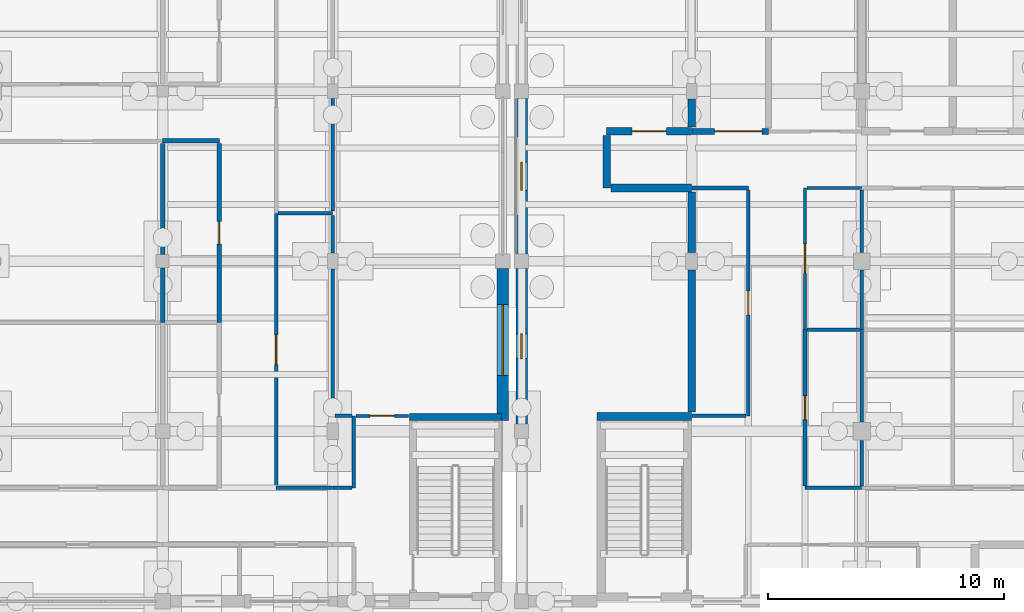
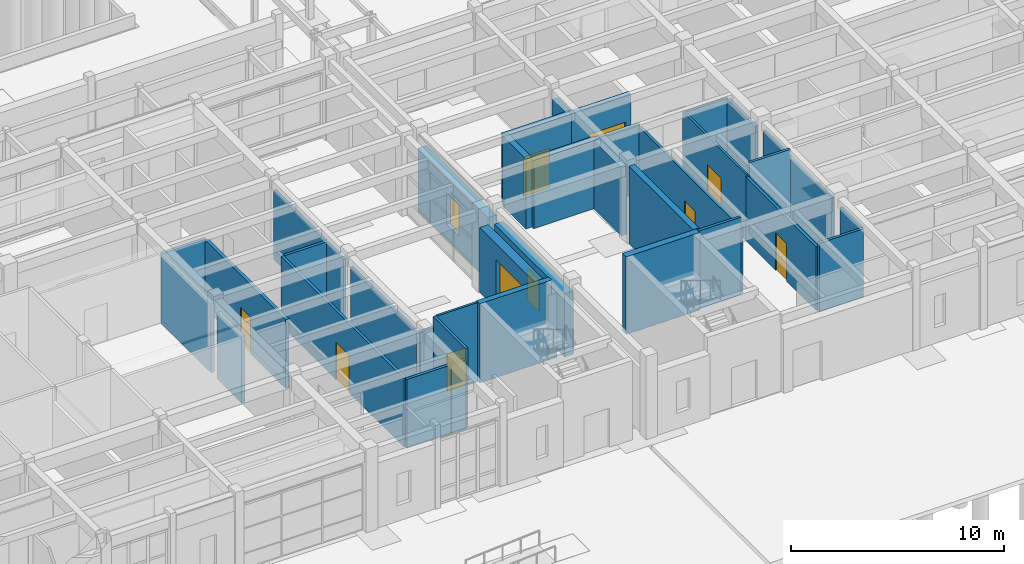
# One storey, part 101 of 143: 38 walls, 8 doors, 3 windows, 11 openings.
"""IFC4 building model written with IfcOpenShell, lengths in metres."""

from ifc_helpers import new_model, si_unit, direction, frame, frame_2d, origin, place, context, subcontext, project, spatial, rectangle, extrude, material, layer, layer_set, type_object, element, fill, save


model = new_model("IFC4")

# Units and contexts
model_context = context("Model", 3, precision=1e-05, world=origin(), true_north=direction((0.0, 1.0)))
body_context = subcontext(model_context, "Body", "Model", "MODEL_VIEW")
ifc_project = project(units=[si_unit("LENGTHUNIT", "METRE"), si_unit("AREAUNIT", "SQUARE_METRE"), si_unit("VOLUMEUNIT", "CUBIC_METRE"), si_unit("PLANEANGLEUNIT", "RADIAN"), si_unit("MASSUNIT", "GRAM", prefix="KILO")], contexts=[model_context])

# Site, building, storey
site_placement = place(None, origin())
site = spatial("IfcSite", under=ifc_project, at=site_placement, CompositionType="ELEMENT")
building_placement = place(site_placement, origin())
building = spatial("IfcBuilding", under=site, at=building_placement, Name="Steenspoor Specialist Clinic", CompositionType="ELEMENT")
storey_placement = place(building_placement, origin())
storey = spatial("IfcBuildingStorey", under=building, at=storey_placement, Name="L00", CompositionType="ELEMENT", Elevation=0.0)

# Wall, opening, window
ifc_material_1 = material(Name="Volcanic basalt ashlar masonry", Category="masonry")
ifc_layer_1 = layer(ifc_material_1, 0.47998046875)
ifc_layer_set_1 = layer_set([ifc_layer_1], Name="Volcanic basalt ashlar masonry")
wall_type_1 = type_object("IfcWallType", Name="W-BASALT-480", PredefinedType="SOLIDWALL", material=ifc_layer_set_1)
wall_1_placement = place(storey_placement, frame((117.199951171875, 27.14990234375, 0.0), z_axis=(0.0, 0.0, 1.0), x_axis=(0.0, -1.0, 0.0)))
wall_1 = element("IfcWall", 1, at=wall_1_placement, inside=storey, type_object=wall_type_1, Name="Exterior Brick Wall EW-V1-L00-0017", PredefinedType="SOLIDWALL", context=body_context, shape_type="SweptSolid", body=[
    extrude(rectangle(XDim=6.449951171875, YDim=0.47998046875, at=frame_2d((3.22509765625, 0.0))), origin(), (0.0, 0.0, 1.0), 3.72998046875),
])
opening_1_placement = place(wall_1_placement, frame((1.5400390625, 0.0, 0.60009765625)))
opening_1 = element("IfcOpeningElement", 2, at=opening_1_placement, cuts=wall_1, Name="Opening WN-19", PredefinedType="OPENING", context=body_context, shape_type="SweptSolid", body=[
    extrude(rectangle(XDim=3.0, YDim=2.199951171875, at=frame_2d((1.5, 1.10009765625))), frame((0.0, 0.25, 0.0), z_axis=(0.0, -1.0, 0.0), x_axis=(1.0, 0.0, 0.0)), (0.0, 0.0, 1.0), 0.5),
])
ifc_material_2 = material(Name="Thermally broken aluminium and low-emissivity glass", Category="aluminium")
window_type_1 = type_object("IfcWindowType", Name="WN-EXT-300X220", PartitioningType="SINGLE_PANEL", PredefinedType="WINDOW", material=ifc_material_2)
window_1_placement = place(opening_1_placement, origin())
window_1 = element("IfcWindow", 3, at=window_1_placement, inside=storey, type_object=window_type_1, Name="Window 0019", OverallHeight=2.199951171875, OverallWidth=3.0, PartitioningType="SINGLE_PANEL", PredefinedType="WINDOW", context=body_context, shape_type="SweptSolid", body=[
    extrude(rectangle(XDim=3.0, YDim=2.199951171875, at=frame_2d((1.5, 1.10009765625))), frame((0.0, 0.030029296875, 0.0), z_axis=(0.0, -1.0, 0.0), x_axis=(1.0, 0.0, 0.0)), (0.0, 0.0, 1.0), 0.06005859375),
])
fill(opening_1, window_1)

wall_2_placement = place(storey_placement, frame((118.0, 20.550048828125, 0.0), z_axis=(0.0, 0.0, 1.0), x_axis=(0.0, 1.0, 0.0)))
wall_2 = element("IfcWall", 4, at=wall_2_placement, inside=storey, type_object=wall_type_1, Name="Exterior Brick Wall EW-V2-L00-0044", PredefinedType="SOLIDWALL", context=body_context, shape_type="SweptSolid", body=[
    extrude(rectangle(XDim=6.599853515625, YDim=0.47998046875, at=frame_2d((3.2998046875, 0.0))), origin(), (0.0, 0.0, 1.0), 3.639892578125),
])
opening_2_placement = place(wall_2_placement, frame((2.77490234375, 0.0, 0.89990234375)))
opening_2 = element("IfcOpeningElement", 5, at=opening_2_placement, cuts=wall_2, Name="Opening WN-04", PredefinedType="OPENING", context=body_context, shape_type="SweptSolid", body=[
    extrude(rectangle(XDim=1.050048828125, YDim=1.800048828125, at=frame_2d((0.52490234375, 0.89990234375))), frame((0.0, 0.25, 0.0), z_axis=(0.0, -1.0, 0.0), x_axis=(1.0, 0.0, 0.0)), (0.0, 0.0, 1.0), 0.5),
])
window_type_2 = type_object("IfcWindowType", Name="WN-EXT-105X180", PartitioningType="SINGLE_PANEL", PredefinedType="WINDOW", material=ifc_material_2)
window_2_placement = place(opening_2_placement, origin())
window_2 = element("IfcWindow", 6, at=window_2_placement, inside=storey, type_object=window_type_2, Name="Window 0052", OverallHeight=1.800048828125, OverallWidth=1.050048828125, PartitioningType="SINGLE_PANEL", PredefinedType="WINDOW", context=body_context, shape_type="SweptSolid", body=[
    extrude(rectangle(XDim=1.050048828125, YDim=1.800048828125, at=frame_2d((0.52490234375, 0.89990234375))), frame((0.0, 0.030029296875, 0.0), z_axis=(0.0, -1.0, 0.0), x_axis=(1.0, 0.0, 0.0)), (0.0, 0.0, 1.0), 0.06005859375),
])
fill(opening_2, window_2)

wall_3_placement = place(storey_placement, frame((118.0, 27.75, 0.0), z_axis=(0.0, 0.0, 1.0), x_axis=(0.0, 1.0, 0.0)))
wall_3 = element("IfcWall", 7, at=wall_3_placement, inside=storey, type_object=wall_type_1, Name="Exterior Brick Wall EW-V2-L00-0045", PredefinedType="SOLIDWALL", context=body_context, shape_type="SweptSolid", body=[
    extrude(rectangle(XDim=6.60009765625, YDim=0.47998046875, at=frame_2d((3.300048828125, 0.0))), origin(), (0.0, 0.0, 1.0), 3.639892578125),
])
opening_3_placement = place(wall_3_placement, frame((2.699951171875, 0.0, 0.89990234375)))
opening_3 = element("IfcOpeningElement", 8, at=opening_3_placement, cuts=wall_3, Name="Opening WN-05", PredefinedType="OPENING", context=body_context, shape_type="SweptSolid", body=[
    extrude(rectangle(XDim=1.199951171875, YDim=1.800048828125, at=frame_2d((0.60009765625, 0.89990234375))), frame((0.0, 0.25, 0.0), z_axis=(0.0, -1.0, 0.0), x_axis=(1.0, 0.0, 0.0)), (0.0, 0.0, 1.0), 0.5),
])
window_type_3 = type_object("IfcWindowType", Name="WN-EXT-120X180", PartitioningType="SINGLE_PANEL", PredefinedType="WINDOW", material=ifc_material_2)
window_3_placement = place(opening_3_placement, origin())
window_3 = element("IfcWindow", 9, at=window_3_placement, inside=storey, type_object=window_type_3, Name="Window 0053", OverallHeight=1.800048828125, OverallWidth=1.199951171875, PartitioningType="SINGLE_PANEL", PredefinedType="WINDOW", context=body_context, shape_type="SweptSolid", body=[
    extrude(rectangle(XDim=1.199951171875, YDim=1.800048828125, at=frame_2d((0.60009765625, 0.89990234375))), frame((0.0, 0.030029296875, 0.0), z_axis=(0.0, -1.0, 0.0), x_axis=(1.0, 0.0, 0.0)), (0.0, 0.0, 1.0), 0.06005859375),
])
fill(opening_3, window_3)

# Wall
ifc_material_3 = material(Name="Gypsum acoustic clinical partition", Category="gypsum")
ifc_layer_2 = layer(ifc_material_3, 0.14990234375)
ifc_layer_set_2 = layer_set([ifc_layer_2], Name="Gypsum acoustic clinical partition")
wall_type_2 = type_object("IfcWallType", Name="W-CLIN-150", PredefinedType="PARTITIONING", material=ifc_layer_set_2)
wall_4_placement = place(storey_placement, frame((107.60009765625, 17.85009765625, 0.0), z_axis=(0.0, 0.0, 1.0), x_axis=(1.0, 0.0, 0.0)))
element("IfcWall", 10, at=wall_4_placement, inside=storey, type_object=wall_type_2, Name="Interior Partition IW-V1-L00-0174", PredefinedType="PARTITIONING", context=body_context, shape_type="SweptSolid", body=[
    extrude(rectangle(XDim=2.39990234375, YDim=0.14990234375, at=frame_2d((1.199951171875, 0.0))), origin(), (0.0, 0.0, 1.0), 3.955078125),
])

# Wall, opening, door
wall_5_placement = place(storey_placement, frame((107.60009765625, 17.93994140625, 0.0), z_axis=(0.0, 0.0, 1.0), x_axis=(0.0, 1.0, 0.0)))
wall_5 = element("IfcWall", 11, at=wall_5_placement, inside=storey, type_object=wall_type_2, Name="Interior Partition IW-V1-L00-0175", PredefinedType="PARTITIONING", context=body_context, shape_type="SweptSolid", body=[
    extrude(rectangle(XDim=11.5400390625, YDim=0.14990234375, at=frame_2d((5.77001953125, 0.0))), origin(), (0.0, 0.0, 1.0), 3.955078125),
])
opening_4_placement = place(wall_5_placement, frame((5.14501953125, 0.0, 0.0)))
opening_4 = element("IfcOpeningElement", 12, at=opening_4_placement, cuts=wall_5, Name="Opening D0021", PredefinedType="OPENING", context=body_context, shape_type="SweptSolid", body=[
    extrude(rectangle(XDim=1.25, YDim=2.14990234375, at=frame_2d((0.625, 1.074951171875))), frame((0.0, 0.0849609375, 0.0), z_axis=(0.0, -1.0, 0.0), x_axis=(1.0, 0.0, 0.0)), (0.0, 0.0, 1.0), 0.169921875),
])
ifc_material_4 = material(Name="Hygienic HPL clinical timber door", Category="wood")
door_type_1 = type_object("IfcDoorType", Name="DT-EXAM-125X215", OperationType="NOTDEFINED", PredefinedType="DOOR", material=ifc_material_4)
door_1_placement = place(opening_4_placement, origin())
door_1 = element("IfcDoor", 13, at=door_1_placement, inside=storey, type_object=door_type_1, Name="Clinical Door D0021", OperationType="SINGLE_SWING_RIGHT", OverallHeight=2.14990234375, OverallWidth=1.25, PredefinedType="DOOR", context=body_context, shape_type="SweptSolid", body=[
    extrude(rectangle(XDim=1.25, YDim=2.14990234375, at=frame_2d((0.625, 1.074951171875))), frame((0.0, 0.02490234375, 0.0), z_axis=(0.0, -1.0, 0.0), x_axis=(1.0, 0.0, 0.0)), (0.0, 0.0, 1.0), 0.050048828125),
])
fill(opening_4, door_1)

# Walls
wall_6_placement = place(storey_placement, frame((110.89990234375, 17.85009765625, 0.0), z_axis=(0.0, 0.0, 1.0), x_axis=(0.0, 1.0, 0.0)))
element("IfcWall", 14, at=wall_6_placement, inside=storey, type_object=wall_type_2, Name="Interior Partition IW-V1-L00-0176", PredefinedType="PARTITIONING", context=body_context, shape_type="SweptSolid", body=[
    extrude(rectangle(XDim=3.0498046875, YDim=0.14990234375, at=frame_2d((1.52490234375, 0.0))), origin(), (0.0, 0.0, 1.0), 4.550048828125),
])
wall_7_placement = place(storey_placement, frame((110.014892578125, 17.85009765625, 0.0), z_axis=(0.0, 0.0, 1.0), x_axis=(1.0, 0.0, 0.0)))
element("IfcWall", 15, at=wall_7_placement, inside=storey, type_object=wall_type_2, Name="Interior Partition IW-V1-L00-0177", PredefinedType="PARTITIONING", context=body_context, shape_type="SweptSolid", body=[
    extrude(rectangle(XDim=0.795166015625, YDim=0.14990234375, at=frame_2d((0.3974609375, 0.0))), origin(), (0.0, 0.0, 1.0), 3.955078125),
])
wall_8_placement = place(storey_placement, frame((130.0, 17.85009765625, 0.0), z_axis=(0.0, 0.0, 1.0), x_axis=(1.0, 0.0, 0.0)))
element("IfcWall", 16, at=wall_8_placement, inside=storey, type_object=wall_type_2, Name="Interior Partition IW-V2-L00-0190", PredefinedType="PARTITIONING", context=body_context, shape_type="SweptSolid", body=[
    extrude(rectangle(XDim=2.39990234375, YDim=0.14990234375, at=frame_2d((1.199951171875, 0.0))), origin(), (0.0, 0.0, 1.0), 3.925048828125),
])

# Wall, opening, door
wall_9_placement = place(storey_placement, frame((130.0, 17.93994140625, 0.0), z_axis=(0.0, 0.0, 1.0), x_axis=(0.0, 1.0, 0.0)))
wall_9 = element("IfcWall", 17, at=wall_9_placement, inside=storey, type_object=wall_type_2, Name="Interior Partition IW-V2-L00-0191", PredefinedType="PARTITIONING", context=body_context, shape_type="SweptSolid", body=[
    extrude(rectangle(XDim=6.610107421875, YDim=0.14990234375, at=frame_2d((3.30517578125, 0.0))), origin(), (0.0, 0.0, 1.0), 3.64501953125),
])
opening_5_placement = place(wall_9_placement, frame((2.804931640625, 0.0, 0.0)))
opening_5 = element("IfcOpeningElement", 18, at=opening_5_placement, cuts=wall_9, Name="Opening D0083", PredefinedType="OPENING", context=body_context, shape_type="SweptSolid", body=[
    extrude(rectangle(XDim=1.0, YDim=2.14990234375, at=frame_2d((0.5, 1.074951171875))), frame((0.0, 0.0849609375, 0.0), z_axis=(0.0, -1.0, 0.0), x_axis=(1.0, 0.0, 0.0)), (0.0, 0.0, 1.0), 0.169921875),
])
ifc_material_5 = material(Name="Moisture-resistant HPL accessible WC door", Category="wood")
door_type_2 = type_object("IfcDoorType", Name="DT-AWC-100X215", OperationType="NOTDEFINED", PredefinedType="DOOR", material=ifc_material_5)
door_2_placement = place(opening_5_placement, origin())
door_2 = element("IfcDoor", 19, at=door_2_placement, inside=storey, type_object=door_type_2, Name="Clinical Door D0083", OperationType="SINGLE_SWING_RIGHT", OverallHeight=2.14990234375, OverallWidth=1.0, PredefinedType="DOOR", context=body_context, shape_type="SweptSolid", body=[
    extrude(rectangle(XDim=1.0, YDim=2.14990234375, at=frame_2d((0.5, 1.074951171875))), frame((0.0, 0.02490234375, 0.0), z_axis=(0.0, -1.0, 0.0), x_axis=(1.0, 0.0, 0.0)), (0.0, 0.0, 1.0), 0.050048828125),
])
fill(opening_5, door_2)

# Walls
wall_10_placement = place(storey_placement, frame((125.215087890625, 20.89990234375, 0.0), z_axis=(0.0, 0.0, 1.0), x_axis=(1.0, 0.0, 0.0)))
element("IfcWall", 20, at=wall_10_placement, inside=storey, type_object=wall_type_2, Name="Interior Partition IW-V2-L00-0195", PredefinedType="PARTITIONING", context=body_context, shape_type="SweptSolid", body=[
    extrude(rectangle(XDim=2.284912109375, YDim=0.14990234375, at=frame_2d((1.142578125, 0.0))), origin(), (0.0, 0.0, 1.0), 4.4599609375),
])
wall_11_placement = place(storey_placement, frame((125.215087890625, 30.550048828125, 0.0), z_axis=(0.0, 0.0, 1.0), x_axis=(1.0, 0.0, 0.0)))
element("IfcWall", 21, at=wall_11_placement, inside=storey, type_object=wall_type_2, Name="Interior Partition IW-V2-L00-0196", PredefinedType="PARTITIONING", context=body_context, shape_type="SweptSolid", body=[
    extrude(rectangle(XDim=2.385009765625, YDim=0.14990234375, at=frame_2d((1.1923828125, 0.0))), origin(), (0.0, 0.0, 1.0), 3.925048828125),
])

# Wall, opening, door
wall_12_placement = place(storey_placement, frame((127.60009765625, 20.89990234375, 0.0), z_axis=(0.0, 0.0, 1.0), x_axis=(0.0, 1.0, 0.0)))
wall_12 = element("IfcWall", 22, at=wall_12_placement, inside=storey, type_object=wall_type_2, Name="Interior Partition IW-V2-L00-0197", PredefinedType="PARTITIONING", context=body_context, shape_type="SweptSolid", body=[
    extrude(rectangle(XDim=9.56005859375, YDim=0.14990234375, at=frame_2d((4.780029296875, 0.0))), origin(), (0.0, 0.0, 1.0), 3.794921875),
])
opening_6_placement = place(wall_12_placement, frame((4.280029296875, 0.0, 0.0)))
opening_6 = element("IfcOpeningElement", 23, at=opening_6_placement, cuts=wall_12, Name="Opening D0089", PredefinedType="OPENING", context=body_context, shape_type="SweptSolid", body=[
    extrude(rectangle(XDim=1.0, YDim=2.14990234375, at=frame_2d((0.5, 1.074951171875))), frame((0.0, 0.0849609375, 0.0), z_axis=(0.0, -1.0, 0.0), x_axis=(1.0, 0.0, 0.0)), (0.0, 0.0, 1.0), 0.169921875),
])
door_3_placement = place(opening_6_placement, origin())
door_3 = element("IfcDoor", 24, at=door_3_placement, inside=storey, type_object=door_type_2, Name="Clinical Door D0089", OperationType="SINGLE_SWING_RIGHT", OverallHeight=2.14990234375, OverallWidth=1.0, PredefinedType="DOOR", context=body_context, shape_type="SweptSolid", body=[
    extrude(rectangle(XDim=1.0, YDim=2.14990234375, at=frame_2d((0.5, 1.074951171875))), frame((0.0, 0.02490234375, 0.0), z_axis=(0.0, -1.0, 0.0), x_axis=(1.0, 0.0, 0.0)), (0.0, 0.0, 1.0), 0.050048828125),
])
fill(opening_6, door_3)

# Walls
wall_13_placement = place(storey_placement, frame((107.68994140625, 29.47998046875, 0.0), z_axis=(0.0, 0.0, 1.0), x_axis=(1.0, 0.0, 0.0)))
element("IfcWall", 25, at=wall_13_placement, inside=storey, type_object=wall_type_2, Name="Interior Partition IW-V1-L00-0554", PredefinedType="PARTITIONING", context=body_context, shape_type="SweptSolid", body=[
    extrude(rectangle(XDim=2.31005859375, YDim=0.14990234375, at=frame_2d((1.155029296875, 0.0))), origin(), (0.0, 0.0, 1.0), 3.985107421875),
])
wall_14_placement = place(storey_placement, frame((110.0, 20.89990234375, 0.0), z_axis=(0.0, 0.0, 1.0), x_axis=(0.0, 1.0, 0.0)))
element("IfcWall", 26, at=wall_14_placement, inside=storey, type_object=wall_type_2, Name="Interior Partition IW-V1-L00-0555", PredefinedType="PARTITIONING", context=body_context, shape_type="SweptSolid", body=[
    extrude(rectangle(XDim=6.210205078125, YDim=0.14990234375, at=frame_2d((3.10498046875, 0.0))), origin(), (0.0, 0.0, 1.0), 3.955078125),
])
wall_15_placement = place(storey_placement, frame((110.0, 27.7900390625, 0.0), z_axis=(0.0, 0.0, 1.0), x_axis=(0.0, 1.0, 0.0)))
element("IfcWall", 27, at=wall_15_placement, inside=storey, type_object=wall_type_2, Name="Interior Partition IW-V1-L00-0556", PredefinedType="PARTITIONING", context=body_context, shape_type="SweptSolid", body=[
    extrude(rectangle(XDim=1.599853515625, YDim=0.14990234375, at=frame_2d((0.7998046875, 0.0))), origin(), (0.0, 0.0, 1.0), 3.985107421875),
])
wall_16_placement = place(storey_placement, frame((110.090087890625, 20.89990234375, 0.0), z_axis=(0.0, 0.0, 1.0), x_axis=(1.0, 0.0, 0.0)))
element("IfcWall", 28, at=wall_16_placement, inside=storey, type_object=wall_type_2, Name="Interior Partition IW-V1-L00-0557", PredefinedType="PARTITIONING", context=body_context, shape_type="SweptSolid", body=[
    extrude(rectangle(XDim=0.719970703125, YDim=0.14990234375, at=frame_2d((0.35986328125, 0.0))), origin(), (0.0, 0.0, 1.0), 3.955078125),
])
wall_17_placement = place(storey_placement, frame((110.0, 29.570068359375, 0.0), z_axis=(0.0, 0.0, 1.0), x_axis=(0.0, 1.0, 0.0)))
element("IfcWall", 29, at=wall_17_placement, inside=storey, type_object=wall_type_2, Name="Interior Partition IW-V1-L00-0558", PredefinedType="PARTITIONING", context=body_context, shape_type="SweptSolid", body=[
    extrude(rectangle(XDim=4.764892578125, YDim=0.14990234375, at=frame_2d((2.38232421875, 0.0))), origin(), (0.0, 0.0, 1.0), 3.985107421875),
])
wall_18_placement = place(storey_placement, frame((132.39990234375, 17.93994140625, 0.0), z_axis=(0.0, 0.0, 1.0), x_axis=(0.0, 1.0, 0.0)))
element("IfcWall", 30, at=wall_18_placement, inside=storey, type_object=wall_type_2, Name="Interior Partition IW-V2-L00-0567", PredefinedType="PARTITIONING", context=body_context, shape_type="SweptSolid", body=[
    extrude(rectangle(XDim=1.920166015625, YDim=0.14990234375, at=frame_2d((0.9599609375, 0.0))), origin(), (0.0, 0.0, 1.0), 3.925048828125),
])
wall_19_placement = place(storey_placement, frame((132.39990234375, 20.639892578125, 0.0), z_axis=(0.0, 0.0, 1.0), x_axis=(0.0, 1.0, 0.0)))
element("IfcWall", 31, at=wall_19_placement, inside=storey, type_object=wall_type_2, Name="Interior Partition IW-V2-L00-0568", PredefinedType="PARTITIONING", context=body_context, shape_type="SweptSolid", body=[
    extrude(rectangle(XDim=3.91015625, YDim=0.14990234375, at=frame_2d((1.955078125, 0.0))), origin(), (0.0, 0.0, 1.0), 3.965087890625),
])
wall_20_placement = place(storey_placement, frame((130.090087890625, 24.550048828125, 0.0), z_axis=(0.0, 0.0, 1.0), x_axis=(1.0, 0.0, 0.0)))
element("IfcWall", 32, at=wall_20_placement, inside=storey, type_object=wall_type_2, Name="Interior Partition IW-V2-L00-0569", PredefinedType="PARTITIONING", context=body_context, shape_type="SweptSolid", body=[
    extrude(rectangle(XDim=2.219970703125, YDim=0.14990234375, at=frame_2d((1.10986328125, 0.0))), origin(), (0.0, 0.0, 1.0), 4.4599609375),
])
wall_21_placement = place(storey_placement, frame((132.39990234375, 24.56494140625, 0.0), z_axis=(0.0, 0.0, 1.0), x_axis=(0.0, 1.0, 0.0)))
element("IfcWall", 33, at=wall_21_placement, inside=storey, type_object=wall_type_2, Name="Interior Partition IW-V2-L00-0575", PredefinedType="PARTITIONING", context=body_context, shape_type="SweptSolid", body=[
    extrude(rectangle(XDim=2.52001953125, YDim=0.14990234375, at=frame_2d((1.260009765625, 0.0))), origin(), (0.0, 0.0, 1.0), 3.965087890625),
])
wall_22_placement = place(storey_placement, frame((132.39990234375, 27.81494140625, 0.0), z_axis=(0.0, 0.0, 1.0), x_axis=(0.0, 1.0, 0.0)))
element("IfcWall", 34, at=wall_22_placement, inside=storey, type_object=wall_type_2, Name="Interior Partition IW-V2-L00-0576", PredefinedType="PARTITIONING", context=body_context, shape_type="SweptSolid", body=[
    extrude(rectangle(XDim=2.64501953125, YDim=0.14990234375, at=frame_2d((1.322509765625, 0.0))), origin(), (0.0, 0.0, 1.0), 3.72509765625),
])

# Wall, opening, door
ifc_material_6 = material(Name="Acoustic and RF shielded masonry partition", Category="masonry")
ifc_layer_3 = layer(ifc_material_6, 0.320068359375)
ifc_layer_set_3 = layer_set([ifc_layer_3], Name="Acoustic and RF shielded masonry partition")
wall_type_3 = type_object("IfcWallType", Name="W-MRI-320", PredefinedType="PARTITIONING", material=ifc_layer_set_3)
wall_23_placement = place(storey_placement, frame((121.60009765625, 32.949951171875, 0.0), z_axis=(0.0, 0.0, 1.0), x_axis=(1.0, 0.0, 0.0)))
wall_23 = element("IfcWall", 35, at=wall_23_placement, inside=storey, type_object=wall_type_3, Name="Interior Partition IW-V2-L00-0045", PredefinedType="PARTITIONING", context=body_context, shape_type="SweptSolid", body=[
    extrude(rectangle(XDim=3.599853515625, YDim=0.320068359375, at=frame_2d((1.7998046875, 0.0))), origin(), (0.0, 0.0, 1.0), 3.925048828125),
])
opening_7_placement = place(wall_23_placement, frame((1.074951171875, 0.0, 0.0)))
opening_7 = element("IfcOpeningElement", 36, at=opening_7_placement, cuts=wall_23, Name="Opening D0080", PredefinedType="OPENING", context=body_context, shape_type="SweptSolid", body=[
    extrude(rectangle(XDim=1.449951171875, YDim=2.25, at=frame_2d((0.72509765625, 1.125))), frame((0.0, 0.169921875, 0.0), z_axis=(0.0, -1.0, 0.0), x_axis=(1.0, 0.0, 0.0)), (0.0, 0.0, 1.0), 0.340087890625),
])
ifc_material_7 = material(Name="Copper RF-shielded MRI door", Category="steel")
door_type_3 = type_object("IfcDoorType", Name="DT-MRI-145X225", OperationType="NOTDEFINED", PredefinedType="DOOR", material=ifc_material_7)
door_4_placement = place(opening_7_placement, origin())
door_4 = element("IfcDoor", 37, at=door_4_placement, inside=storey, type_object=door_type_3, Name="Clinical Door D0080", OperationType="SINGLE_SWING_LEFT", OverallHeight=2.25, OverallWidth=1.449951171875, PredefinedType="DOOR", context=body_context, shape_type="SweptSolid", body=[
    extrude(rectangle(XDim=1.449951171875, YDim=2.25, at=frame_2d((0.72509765625, 1.125))), frame((0.0, 0.02490234375, 0.0), z_axis=(0.0, -1.0, 0.0), x_axis=(1.0, 0.0, 0.0)), (0.0, 0.0, 1.0), 0.050048828125),
])
fill(opening_7, door_4)

# Walls
wall_24_placement = place(storey_placement, frame((121.60009765625, 30.550048828125, 0.0), z_axis=(0.0, 0.0, 1.0), x_axis=(0.0, 1.0, 0.0)))
element("IfcWall", 38, at=wall_24_placement, inside=storey, type_object=wall_type_3, Name="Interior Partition IW-V2-L00-0046", PredefinedType="PARTITIONING", context=body_context, shape_type="SweptSolid", body=[
    extrude(rectangle(XDim=2.224853515625, YDim=0.320068359375, at=frame_2d((1.1123046875, 0.0))), origin(), (0.0, 0.0, 1.0), 4.02490234375),
])
wall_25_placement = place(storey_placement, frame((121.77490234375, 30.550048828125, 0.0), z_axis=(0.0, 0.0, 1.0), x_axis=(1.0, 0.0, 0.0)))
element("IfcWall", 39, at=wall_25_placement, inside=storey, type_object=wall_type_3, Name="Interior Partition IW-V2-L00-0047", PredefinedType="PARTITIONING", context=body_context, shape_type="SweptSolid", body=[
    extrude(rectangle(XDim=3.425048828125, YDim=0.320068359375, at=frame_2d((1.71240234375, 0.0))), origin(), (0.0, 0.0, 1.0), 3.925048828125),
])
wall_26_placement = place(storey_placement, frame((125.199951171875, 33.125, 0.0), z_axis=(0.0, 0.0, 1.0), x_axis=(0.0, 1.0, 0.0)))
element("IfcWall", 40, at=wall_26_placement, inside=storey, type_object=wall_type_3, Name="Interior Partition IW-V2-L00-0401", PredefinedType="PARTITIONING", context=body_context, shape_type="SweptSolid", body=[
    extrude(rectangle(XDim=1.18505859375, YDim=0.320068359375, at=frame_2d((0.592529296875, 0.0))), origin(), (0.0, 0.0, 1.0), 3.925048828125),
])
wall_27_placement = place(storey_placement, frame((125.199951171875, 21.06494140625, 0.0), z_axis=(0.0, 0.0, 1.0), x_axis=(0.0, 1.0, 0.0)))
element("IfcWall", 41, at=wall_27_placement, inside=storey, type_object=wall_type_3, Name="Interior Partition IW-V2-L00-0403", PredefinedType="PARTITIONING", context=body_context, shape_type="SweptSolid", body=[
    extrude(rectangle(XDim=6.02001953125, YDim=0.320068359375, at=frame_2d((3.010009765625, 0.0))), origin(), (0.0, 0.0, 1.0), 4.4599609375),
])
wall_28_placement = place(storey_placement, frame((125.199951171875, 27.81494140625, 0.0), z_axis=(0.0, 0.0, 1.0), x_axis=(0.0, 1.0, 0.0)))
element("IfcWall", 42, at=wall_28_placement, inside=storey, type_object=wall_type_3, Name="Interior Partition IW-V2-L00-0404", PredefinedType="PARTITIONING", context=body_context, shape_type="SweptSolid", body=[
    extrude(rectangle(XDim=2.56005859375, YDim=0.320068359375, at=frame_2d((1.280029296875, 0.0))), origin(), (0.0, 0.0, 1.0), 3.925048828125),
])

# Wall, opening, door
ifc_material_8 = material(Name="Gypsum studio partition board", Category="gypsum")
ifc_layer_4 = layer(ifc_material_8, 0.1201171875)
ifc_layer_set_4 = layer_set([ifc_layer_4], Name="Gypsum studio partition board")
wall_type_4 = type_object("IfcWallType", Name="W-PART-120", PredefinedType="PARTITIONING", material=ifc_layer_set_4)
wall_29_placement = place(storey_placement, frame((110.989990234375, 20.89990234375, 0.0), z_axis=(0.0, 0.0, 1.0), x_axis=(1.0, 0.0, 0.0)))
wall_29 = element("IfcWall", 43, at=wall_29_placement, inside=storey, type_object=wall_type_4, Name="Interior Partition IW-V1-L00-0297", PredefinedType="PARTITIONING", context=body_context, shape_type="SweptSolid", body=[
    extrude(rectangle(XDim=2.2099609375, YDim=0.1201171875, at=frame_2d((1.10498046875, 0.0))), origin(), (0.0, 0.0, 1.0), 4.550048828125),
])
opening_8_placement = place(wall_29_placement, frame((0.580078125, 0.0, 0.0)))
opening_8 = element("IfcOpeningElement", 44, at=opening_8_placement, cuts=wall_29, Name="Opening D0022", PredefinedType="OPENING", context=body_context, shape_type="SweptSolid", body=[
    extrude(rectangle(XDim=1.050048828125, YDim=2.14990234375, at=frame_2d((0.52490234375, 1.074951171875))), frame((0.0, 0.070068359375, 0.0), z_axis=(0.0, -1.0, 0.0), x_axis=(1.0, 0.0, 0.0)), (0.0, 0.0, 1.0), 0.14013671875),
])
ifc_material_9 = material(Name="Solid-core hardwood office door", Category="wood")
door_type_4 = type_object("IfcDoorType", Name="DT-OFF-105X215", OperationType="NOTDEFINED", PredefinedType="DOOR", material=ifc_material_9)
door_5_placement = place(opening_8_placement, origin())
door_5 = element("IfcDoor", 45, at=door_5_placement, inside=storey, type_object=door_type_4, Name="Clinical Door D0022", OperationType="SINGLE_SWING_LEFT", OverallHeight=2.14990234375, OverallWidth=1.050048828125, PredefinedType="DOOR", context=body_context, shape_type="SweptSolid", body=[
    extrude(rectangle(XDim=1.050048828125, YDim=2.14990234375, at=frame_2d((0.52490234375, 1.074951171875))), frame((0.0, 0.02490234375, 0.0), z_axis=(0.0, -1.0, 0.0), x_axis=(1.0, 0.0, 0.0)), (0.0, 0.0, 1.0), 0.050048828125),
])
fill(opening_8, door_5)

wall_30_placement = place(storey_placement, frame((130.0, 24.56494140625, 0.0), z_axis=(0.0, 0.0, 1.0), x_axis=(0.0, 1.0, 0.0)))
wall_30 = element("IfcWall", 46, at=wall_30_placement, inside=storey, type_object=wall_type_4, Name="Interior Partition IW-V2-L00-0310", PredefinedType="PARTITIONING", context=body_context, shape_type="SweptSolid", body=[
    extrude(rectangle(XDim=5.985107421875, YDim=0.1201171875, at=frame_2d((2.99267578125, 0.0))), origin(), (0.0, 0.0, 1.0), 3.794921875),
])
opening_9_placement = place(wall_30_placement, frame((2.367431640625, 0.0, 0.0)))
opening_9 = element("IfcOpeningElement", 47, at=opening_9_placement, cuts=wall_30, Name="Opening D0092", PredefinedType="OPENING", context=body_context, shape_type="SweptSolid", body=[
    extrude(rectangle(XDim=1.25, YDim=2.14990234375, at=frame_2d((0.625, 1.074951171875))), frame((0.0, 0.070068359375, 0.0), z_axis=(0.0, -1.0, 0.0), x_axis=(1.0, 0.0, 0.0)), (0.0, 0.0, 1.0), 0.14013671875),
])
door_6_placement = place(opening_9_placement, origin())
door_6 = element("IfcDoor", 48, at=door_6_placement, inside=storey, type_object=door_type_1, Name="Clinical Door D0092", OperationType="SINGLE_SWING_LEFT", OverallHeight=2.14990234375, OverallWidth=1.25, PredefinedType="DOOR", context=body_context, shape_type="SweptSolid", body=[
    extrude(rectangle(XDim=1.25, YDim=2.14990234375, at=frame_2d((0.625, 1.074951171875))), frame((0.0, 0.02490234375, 0.0), z_axis=(0.0, -1.0, 0.0), x_axis=(1.0, 0.0, 0.0)), (0.0, 0.0, 1.0), 0.050048828125),
])
fill(opening_9, door_6)

# Walls
wall_31_placement = place(storey_placement, frame((130.074951171875, 30.550048828125, 0.0), z_axis=(0.0, 0.0, 1.0), x_axis=(1.0, 0.0, 0.0)))
element("IfcWall", 49, at=wall_31_placement, inside=storey, type_object=wall_type_4, Name="Interior Partition IW-V2-L00-0311", PredefinedType="PARTITIONING", context=body_context, shape_type="SweptSolid", body=[
    extrude(rectangle(XDim=2.31005859375, YDim=0.1201171875, at=frame_2d((1.155029296875, 0.0))), origin(), (0.0, 0.0, 1.0), 3.72509765625),
])
ifc_material_10 = material(Name="Moisture-resistant gypsum plumbing wall", Category="gypsum")
ifc_layer_5 = layer(ifc_material_10, 0.179931640625)
ifc_layer_set_5 = layer_set([ifc_layer_5], Name="Moisture-resistant gypsum plumbing wall")
wall_type_5 = type_object("IfcWallType", Name="W-PLUMB-180", PredefinedType="PLUMBINGWALL", material=ifc_layer_set_5)
wall_32_placement = place(storey_placement, frame((102.800048828125, 32.550048828125, 0.0), z_axis=(0.0, 0.0, 1.0), x_axis=(1.0, 0.0, 0.0)))
element("IfcWall", 50, at=wall_32_placement, inside=storey, type_object=wall_type_5, Name="Interior Partition IW-V1-L00-0126", PredefinedType="PLUMBINGWALL", context=body_context, shape_type="SweptSolid", body=[
    extrude(rectangle(XDim=2.39990234375, YDim=0.179931640625, at=frame_2d((1.199951171875, 0.0))), origin(), (0.0, 0.0, 1.0), 3.955078125),
])

# Wall, opening, door
wall_33_placement = place(storey_placement, frame((105.199951171875, 24.864990234375, 0.0), z_axis=(0.0, 0.0, 1.0), x_axis=(0.0, 1.0, 0.0)))
wall_33 = element("IfcWall", 51, at=wall_33_placement, inside=storey, type_object=wall_type_5, Name="Interior Partition IW-V1-L00-0127", PredefinedType="PLUMBINGWALL", context=body_context, shape_type="SweptSolid", body=[
    extrude(rectangle(XDim=7.580078125, YDim=0.179931640625, at=frame_2d((3.7900390625, 0.0))), origin(), (0.0, 0.0, 1.0), 3.955078125),
])
opening_10_placement = place(wall_33_placement, frame((3.31494140625, 0.0, 0.0)))
opening_10 = element("IfcOpeningElement", 52, at=opening_10_placement, cuts=wall_33, Name="Opening D0027", PredefinedType="OPENING", context=body_context, shape_type="SweptSolid", body=[
    extrude(rectangle(XDim=0.949951171875, YDim=2.10009765625, at=frame_2d((0.47509765625, 1.050048828125))), frame((0.0, 0.10009765625, 0.0), z_axis=(0.0, -1.0, 0.0), x_axis=(1.0, 0.0, 0.0)), (0.0, 0.0, 1.0), 0.199951171875),
])
ifc_material_11 = material(Name="Moisture-resistant HPL sanitary door", Category="wood")
door_type_5 = type_object("IfcDoorType", Name="DT-WC-095X210", OperationType="NOTDEFINED", PredefinedType="DOOR", material=ifc_material_11)
door_7_placement = place(opening_10_placement, origin())
door_7 = element("IfcDoor", 53, at=door_7_placement, inside=storey, type_object=door_type_5, Name="Clinical Door D0027", OperationType="SINGLE_SWING_RIGHT", OverallHeight=2.10009765625, OverallWidth=0.949951171875, PredefinedType="DOOR", context=body_context, shape_type="SweptSolid", body=[
    extrude(rectangle(XDim=0.949951171875, YDim=2.10009765625, at=frame_2d((0.47509765625, 1.050048828125))), frame((0.0, 0.02490234375, 0.0), z_axis=(0.0, -1.0, 0.0), x_axis=(1.0, 0.0, 0.0)), (0.0, 0.0, 1.0), 0.050048828125),
])
fill(opening_10, door_7)

# Walls
wall_34_placement = place(storey_placement, frame((102.800048828125, 24.864990234375, 0.0), z_axis=(0.0, 0.0, 1.0), x_axis=(0.0, 1.0, 0.0)))
element("IfcWall", 54, at=wall_34_placement, inside=storey, type_object=wall_type_5, Name="Interior Partition IW-V1-L00-0502", PredefinedType="PLUMBINGWALL", context=body_context, shape_type="SweptSolid", body=[
    extrude(rectangle(XDim=2.294921875, YDim=0.179931640625, at=frame_2d((1.1474609375, 0.0))), origin(), (0.0, 0.0, 1.0), 3.8349609375),
])
wall_35_placement = place(storey_placement, frame((102.800048828125, 27.739990234375, 0.0), z_axis=(0.0, 0.0, 1.0), x_axis=(0.0, 1.0, 0.0)))
element("IfcWall", 55, at=wall_35_placement, inside=storey, type_object=wall_type_5, Name="Interior Partition IW-V1-L00-0503", PredefinedType="PLUMBINGWALL", context=body_context, shape_type="SweptSolid", body=[
    extrude(rectangle(XDim=4.705078125, YDim=0.179931640625, at=frame_2d((2.3525390625, 0.0))), origin(), (0.0, 0.0, 1.0), 3.955078125),
])

# Wall, opening, door
ifc_material_12 = material(Name="Fire-rated clay blockwork masonry", Category="masonry")
ifc_layer_6 = layer(ifc_material_12, 0.25)
ifc_layer_set_6 = layer_set([ifc_layer_6], Name="Fire-rated clay blockwork masonry")
wall_type_6 = type_object("IfcWallType", Name="W-SHAFT-250", PredefinedType="PARTITIONING", material=ifc_layer_set_6)
wall_36_placement = place(storey_placement, frame((125.215087890625, 32.949951171875, 0.0), z_axis=(0.0, 0.0, 1.0), x_axis=(1.0, 0.0, 0.0)))
wall_36 = element("IfcWall", 56, at=wall_36_placement, inside=storey, type_object=wall_type_6, Name="Interior Partition IW-V2-L00-0057", PredefinedType="PARTITIONING", context=body_context, shape_type="SweptSolid", body=[
    extrude(rectangle(XDim=3.23486328125, YDim=0.25, at=frame_2d((1.617431640625, 0.0))), origin(), (0.0, 0.0, 1.0), 3.925048828125),
])
opening_11_placement = place(wall_36_placement, frame((0.96337890625, 0.0, 0.0)))
opening_11 = element("IfcOpeningElement", 57, at=opening_11_placement, cuts=wall_36, Name="Opening D0097", PredefinedType="OPENING", context=body_context, shape_type="SweptSolid", body=[
    extrude(rectangle(XDim=2.0, YDim=2.39990234375, at=frame_2d((1.0, 1.199951171875))), frame((0.0, 0.135009765625, 0.0), z_axis=(0.0, -1.0, 0.0), x_axis=(1.0, 0.0, 0.0)), (0.0, 0.0, 1.0), 0.27001953125),
])
ifc_material_13 = material(Name="Fire-rated louvred steel plant door", Category="steel")
door_type_6 = type_object("IfcDoorType", Name="DT-PLANT-200X240", OperationType="NOTDEFINED", PredefinedType="DOOR", material=ifc_material_13)
door_8_placement = place(opening_11_placement, origin())
door_8 = element("IfcDoor", 58, at=door_8_placement, inside=storey, type_object=door_type_6, Name="Clinical Door D0097", OperationType="DOUBLE_DOOR_SINGLE_SWING", OverallHeight=2.39990234375, OverallWidth=2.0, PredefinedType="DOOR", context=body_context, shape_type="SweptSolid", body=[
    extrude(rectangle(XDim=2.0, YDim=2.39990234375, at=frame_2d((1.0, 1.199951171875))), frame((0.0, 0.02490234375, 0.0), z_axis=(0.0, -1.0, 0.0), x_axis=(1.0, 0.0, 0.0)), (0.0, 0.0, 1.0), 0.050048828125),
])
fill(opening_11, door_8)

# Walls
ifc_material_14 = material(Name="Concrete C40/50", Category="concrete")
ifc_layer_7 = layer(ifc_material_14, 0.300048828125)
ifc_layer_set_7 = layer_set([ifc_layer_7], Name="Concrete C40/50")
wall_type_7 = type_object("IfcWallType", Name="W-SW-300", PredefinedType="SHEAR", material=ifc_layer_set_7)
wall_37_placement = place(storey_placement, frame((113.25, 20.85009765625, 0.0), z_axis=(0.0, 0.0, 1.0), x_axis=(1.0, 0.0, 0.0)))
element("IfcWall", 59, at=wall_37_placement, inside=storey, type_object=wall_type_7, Name="Core Shear Wall SW-ST-V1B-L00-N", PredefinedType="SHEAR", context=body_context, shape_type="SweptSolid", body=[
    extrude(rectangle(XDim=3.89990234375, YDim=0.300048828125, at=frame_2d((1.949951171875, 0.0))), origin(), (0.0, 0.0, 1.0), 4.550048828125),
])
ifc_layer_8 = layer(ifc_material_14, 0.35009765625)
ifc_layer_set_8 = layer_set([ifc_layer_8], Name="Concrete C40/50")
wall_type_8 = type_object("IfcWallType", Name="W-SW-350", PredefinedType="SHEAR", material=ifc_layer_set_8)
wall_38_placement = place(storey_placement, frame((121.199951171875, 20.875, 0.0), z_axis=(0.0, 0.0, 1.0), x_axis=(1.0, 0.0, 0.0)))
element("IfcWall", 60, at=wall_38_placement, inside=storey, type_object=wall_type_8, Name="Core Shear Wall SW-ST-V2A-L00-N", PredefinedType="SHEAR", context=body_context, shape_type="SweptSolid", body=[
    extrude(rectangle(XDim=4.0, YDim=0.35009765625, at=frame_2d((2.0, 0.0))), origin(), (0.0, 0.0, 1.0), 4.4599609375),
])

save(model, "model.ifc")
